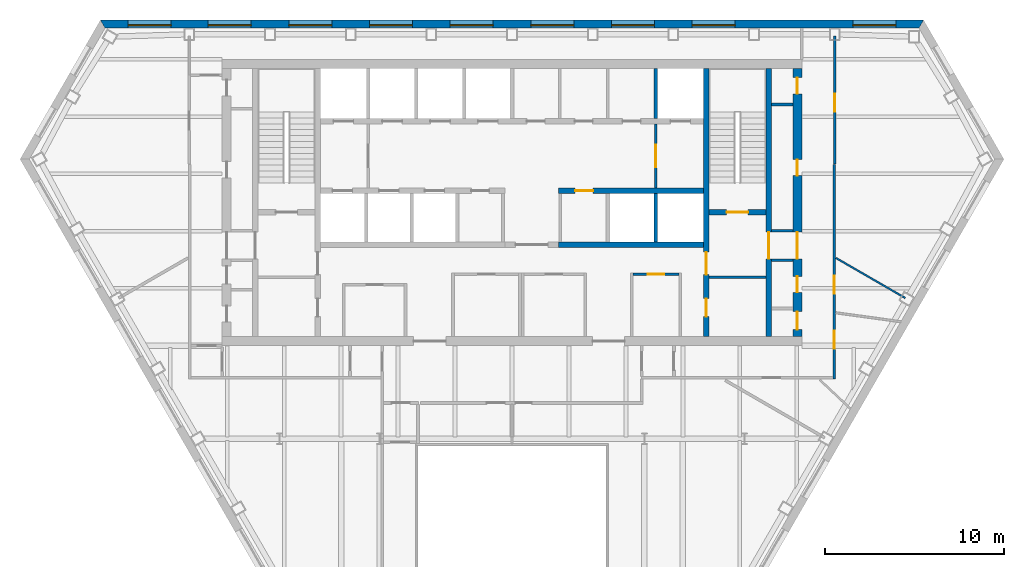
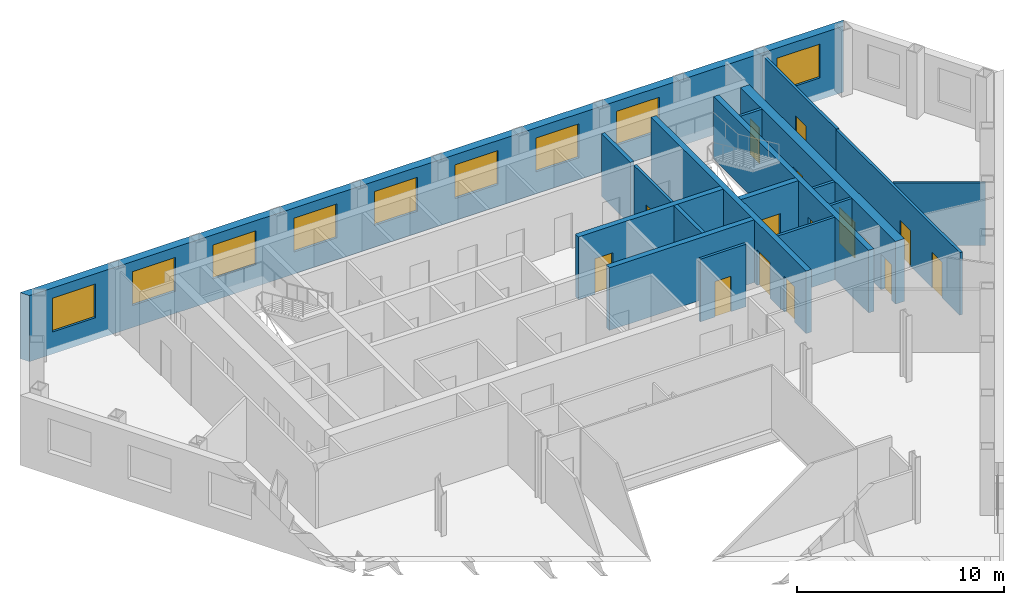
# One storey, part 7 of 11: 18 walls, 15 doors, 9 windows, 24 openings.
"""IFC4 building model written with IfcOpenShell, lengths in metres."""

from ifc_helpers import new_model, si_unit, direction, frame, frame_2d, origin, place, context, subcontext, project, spatial, polyline, rectangle, outline, extrude, material, layer, layer_set, type_object, element, fill, save


model = new_model("IFC4")

# Units and contexts
model_context = context("Model", 3, precision=1e-05, world=origin(), true_north=direction((0.0, 1.0)))
body_context = subcontext(model_context, "Body", "Model", "MODEL_VIEW")
ifc_project = project(units=[si_unit("LENGTHUNIT", "METRE"), si_unit("AREAUNIT", "SQUARE_METRE"), si_unit("VOLUMEUNIT", "CUBIC_METRE"), si_unit("PLANEANGLEUNIT", "RADIAN"), si_unit("MASSUNIT", "GRAM", prefix="KILO")], contexts=[model_context])

# Site, building, storey
site_placement = place(None, origin())
site = spatial("IfcSite", under=ifc_project, at=site_placement, CompositionType="ELEMENT")
building_placement = place(site_placement, origin())
building = spatial("IfcBuilding", under=site, at=building_placement, Name="Njiva Tower", CompositionType="ELEMENT")
storey_placement = place(building_placement, frame((0.0, 0.0, 147.6)))
storey = spatial("IfcBuildingStorey", under=building, at=storey_placement, Name="L31", CompositionType="ELEMENT", Elevation=147.6)

# Wall
ifc_material_1 = material(Name="Blockwork", Category="masonry")
ifc_layer_1 = layer(ifc_material_1, 0.15)
ifc_layer_set_1 = layer_set([ifc_layer_1], Name="Blockwork")
wall_type_1 = type_object("IfcWallType", Name="WT1 Compartment partition 150", PredefinedType="PARTITIONING", material=ifc_layer_set_1)
wall_1_placement = place(storey_placement, frame((11.0, 5.825, 0.0), z_axis=(0.0, 0.0, 1.0), x_axis=(1.0, 0.0, 0.0)))
element("IfcWall", 1, at=wall_1_placement, inside=storey, type_object=wall_type_1, Name="Room wall B", PredefinedType="PARTITIONING", context=body_context, shape_type="SweptSolid", body=[
    extrude(rectangle(XDim=3.2, YDim=0.15, at=frame_2d((1.6, 0.0))), origin(), (0.0, 0.0, 1.0), 3.7),
])

# Wall, opening, door
wall_2_placement = place(storey_placement, frame((6.775, 6.0, 0.0), z_axis=(0.0, 0.0, 1.0), x_axis=(1.0, 0.0, 0.0)))
wall_2 = element("IfcWall", 2, at=wall_2_placement, inside=storey, type_object=wall_type_1, Name="Information office wall north", PredefinedType="PARTITIONING", context=body_context, shape_type="SweptSolid", body=[
    extrude(rectangle(XDim=2.55, YDim=0.15, at=frame_2d((1.275, 0.0))), origin(), (0.0, 0.0, 1.0), 3.7),
])
opening_1_placement = place(wall_2_placement, frame((0.825, 0.0, 0.0)))
opening_1 = element("IfcOpeningElement", 3, at=opening_1_placement, cuts=wall_2, Name="Opening S10-D937", PredefinedType="OPENING", context=body_context, shape_type="SweptSolid", body=[
    extrude(rectangle(XDim=0.9, YDim=2.1, at=frame_2d((0.45, 1.05))), frame((0.0, 0.085, 0.0), z_axis=(0.0, -1.0, 0.0), x_axis=(1.0, 0.0, 0.0)), (0.0, 0.0, 1.0), 0.17),
])
ifc_material_2 = material(Name="Steel fire door, painted", Category="steel")
door_type_1 = type_object("IfcDoorType", Name="D6 Fire-rated door 900x2100", OperationType="SINGLE_SWING_LEFT", PredefinedType="DOOR", material=ifc_material_2)
door_1_placement = place(opening_1_placement, origin())
door_1 = element("IfcDoor", 4, at=door_1_placement, inside=storey, type_object=door_type_1, Name="Information office door", OperationType="SINGLE_SWING_RIGHT", OverallHeight=2.1, OverallWidth=0.9, PredefinedType="DOOR", context=body_context, shape_type="SweptSolid", body=[
    extrude(rectangle(XDim=0.9, YDim=2.1, at=frame_2d((0.45, 1.05))), frame((0.0, 0.025, 0.0), z_axis=(0.0, -1.0, 0.0), x_axis=(1.0, 0.0, 0.0)), (0.0, 0.0, 1.0), 0.05),
])
fill(opening_1, door_1)

# Wall, openings, doors
ifc_material_3 = material(Name="Concrete C40/50", Category="concrete")
ifc_layer_2 = layer(ifc_material_3, 0.3)
ifc_layer_set_2 = layer_set([ifc_layer_2], Name="Concrete C40/50")
wall_type_2 = type_object("IfcWallType", Name="WT10 Stair enclosure wall 300", PredefinedType="SHEAR", material=ifc_layer_set_2)
wall_3_placement = place(storey_placement, frame((10.85, 2.5, 0.0), z_axis=(0.0, 0.0, 1.0), x_axis=(0.0, 1.0, 0.0)))
wall_3 = element("IfcWall", 5, at=wall_3_placement, inside=storey, type_object=wall_type_2, Name="Stair wall east inner", PredefinedType="SHEAR", context=body_context, shape_type="SweptSolid", body=[
    extrude(rectangle(XDim=15.0, YDim=0.3, at=frame_2d((7.5, 0.0))), origin(), (0.0, 0.0, 1.0), 3.7),
])
opening_2_placement = place(wall_3_placement, frame((3.475, 0.0, 0.0)))
opening_2 = element("IfcOpeningElement", 6, at=opening_2_placement, cuts=wall_3, Name="Opening S10-D920", PredefinedType="OPENING", context=body_context, shape_type="SweptSolid", body=[
    extrude(rectangle(XDim=1.25, YDim=2.1, at=frame_2d((0.625, 1.05))), frame((0.0, 0.16, 0.0), z_axis=(0.0, -1.0, 0.0), x_axis=(1.0, 0.0, 0.0)), (0.0, 0.0, 1.0), 0.32),
])
opening_3_placement = place(wall_3_placement, frame((1.125, 0.0, 0.0)))
opening_3 = element("IfcOpeningElement", 7, at=opening_3_placement, cuts=wall_3, Name="Opening S10-D921", PredefinedType="OPENING", context=body_context, shape_type="SweptSolid", body=[
    extrude(rectangle(XDim=1.0, YDim=2.1, at=frame_2d((0.5, 1.05))), frame((0.0, 0.16, 0.0), z_axis=(0.0, -1.0, 0.0), x_axis=(1.0, 0.0, 0.0)), (0.0, 0.0, 1.0), 0.32),
])
ifc_material_4 = material(Name="Steel door, painted", Category="steel")
door_type_2 = type_object("IfcDoorType", Name="D5 Steel door 1000x2100", OperationType="SINGLE_SWING_LEFT", PredefinedType="DOOR", material=ifc_material_4)
door_2_placement = place(opening_3_placement, origin())
door_2 = element("IfcDoor", 8, at=door_2_placement, inside=storey, type_object=door_type_2, Name="Meeting room door", OperationType="SINGLE_SWING_LEFT", OverallHeight=2.1, OverallWidth=1.0, PredefinedType="DOOR", context=body_context, shape_type="SweptSolid", body=[
    extrude(rectangle(XDim=1.0, YDim=2.1, at=frame_2d((0.5, 1.05))), frame((0.0, 0.025, 0.0), z_axis=(0.0, -1.0, 0.0), x_axis=(1.0, 0.0, 0.0)), (0.0, 0.0, 1.0), 0.05),
])
fill(opening_3, door_2)
ifc_material_5 = material(Name="Glazed steel fire door", Category="steel")
door_type_3 = type_object("IfcDoorType", Name="D8 Vestibule corridor door 1250x2100 glazed", OperationType="SINGLE_SWING_LEFT", PredefinedType="DOOR", material=ifc_material_5)
door_3_placement = place(opening_2_placement, origin())
door_3 = element("IfcDoor", 9, at=door_3_placement, inside=storey, type_object=door_type_3, Name="Stair vestibule corridor door", OperationType="SINGLE_SWING_RIGHT", OverallHeight=2.1, OverallWidth=1.25, PredefinedType="DOOR", context=body_context, shape_type="SweptSolid", body=[
    extrude(rectangle(XDim=1.25, YDim=2.1, at=frame_2d((0.625, 1.05))), frame((0.0, 0.025, 0.0), z_axis=(0.0, -1.0, 0.0), x_axis=(1.0, 0.0, 0.0)), (0.0, 0.0, 1.0), 0.05),
])
fill(opening_2, door_3)

# Wall, opening, door
wall_4_placement = place(storey_placement, frame((14.35, 2.5, 0.0), z_axis=(0.0, 0.0, 1.0), x_axis=(0.0, 1.0, 0.0)))
wall_4 = element("IfcWall", 10, at=wall_4_placement, inside=storey, type_object=wall_type_2, Name="Stair wall east outer", PredefinedType="SHEAR", context=body_context, shape_type="SweptSolid", body=[
    extrude(rectangle(XDim=15.0, YDim=0.3, at=frame_2d((7.5, 0.0))), origin(), (0.0, 0.0, 1.0), 3.7),
])
opening_4_placement = place(wall_4_placement, frame((4.35, 0.0, 0.0)))
opening_4 = element("IfcOpeningElement", 11, at=opening_4_placement, cuts=wall_4, Name="Opening S10-D928", PredefinedType="OPENING", context=body_context, shape_type="SweptSolid", body=[
    extrude(rectangle(XDim=1.5, YDim=2.1, at=frame_2d((0.75, 1.05))), frame((0.0, 0.16, 0.0), z_axis=(0.0, -1.0, 0.0), x_axis=(1.0, 0.0, 0.0)), (0.0, 0.0, 1.0), 0.32),
])
door_type_4 = type_object("IfcDoorType", Name="D10 Exit door double 1500x2100 glazed", OperationType="DOUBLE_DOOR_SINGLE_SWING", PredefinedType="DOOR", material=ifc_material_5)
door_4_placement = place(opening_4_placement, origin())
door_4 = element("IfcDoor", 12, at=door_4_placement, inside=storey, type_object=door_type_4, Name="Stair B passage door", OperationType="DOUBLE_DOOR_SINGLE_SWING", OverallHeight=2.1, OverallWidth=1.5, PredefinedType="DOOR", context=body_context, shape_type="SweptSolid", body=[
    extrude(rectangle(XDim=1.5, YDim=2.1, at=frame_2d((0.75, 1.05))), frame((0.0, 0.025, 0.0), z_axis=(0.0, -1.0, 0.0), x_axis=(1.0, 0.0, 0.0)), (0.0, 0.0, 1.0), 0.05),
])
fill(opening_4, door_4)

wall_5_placement = place(storey_placement, frame((11.0, 9.45, 0.0), z_axis=(0.0, 0.0, 1.0), x_axis=(1.0, 0.0, 0.0)))
wall_5 = element("IfcWall", 13, at=wall_5_placement, inside=storey, type_object=wall_type_2, Name="Stair B south wall", PredefinedType="SHEAR", context=body_context, shape_type="SweptSolid", body=[
    extrude(rectangle(XDim=3.2, YDim=0.3, at=frame_2d((1.6, 0.0))), origin(), (0.0, 0.0, 1.0), 3.7),
])
opening_5_placement = place(wall_5_placement, frame((1.0, 0.0, 0.0)))
opening_5 = element("IfcOpeningElement", 14, at=opening_5_placement, cuts=wall_5, Name="Opening S10-D919", PredefinedType="OPENING", context=body_context, shape_type="SweptSolid", body=[
    extrude(rectangle(XDim=1.2, YDim=2.1, at=frame_2d((0.6, 1.05))), frame((0.0, 0.16, 0.0), z_axis=(0.0, -1.0, 0.0), x_axis=(1.0, 0.0, 0.0)), (0.0, 0.0, 1.0), 0.32),
])
door_type_5 = type_object("IfcDoorType", Name="D7 Stair vestibule door 1200x2100 glazed", OperationType="SINGLE_SWING_LEFT", PredefinedType="DOOR", material=ifc_material_5)
door_5_placement = place(opening_5_placement, origin())
door_5 = element("IfcDoor", 15, at=door_5_placement, inside=storey, type_object=door_type_5, Name="Stair B door", OperationType="SINGLE_SWING_LEFT", OverallHeight=2.1, OverallWidth=1.2, PredefinedType="DOOR", context=body_context, shape_type="SweptSolid", body=[
    extrude(rectangle(XDim=1.2, YDim=2.1, at=frame_2d((0.6, 1.05))), frame((0.0, 0.025, 0.0), z_axis=(0.0, -1.0, 0.0), x_axis=(1.0, 0.0, 0.0)), (0.0, 0.0, 1.0), 0.05),
])
fill(opening_5, door_5)

# Wall, openings, doors
ifc_material_6 = material(Name="Concrete C60/75", Category="concrete")
ifc_layer_3 = layer(ifc_material_6, 0.5)
ifc_layer_set_3 = layer_set([ifc_layer_3], Name="Concrete C60/75")
wall_type_3 = type_object("IfcWallType", Name="WT13 Core wall 500", PredefinedType="SHEAR", material=ifc_layer_set_3)
wall_6_placement = place(storey_placement, frame((15.95, 2.5, 0.0), z_axis=(0.0, 0.0, 1.0), x_axis=(0.0, 1.0, 0.0)))
wall_6 = element("IfcWall", 16, at=wall_6_placement, inside=storey, type_object=wall_type_3, Name="Core wall east", PredefinedType="SHEAR", context=body_context, shape_type="SweptSolid", body=[
    extrude(rectangle(XDim=15.0, YDim=0.5, at=frame_2d((7.5, 0.0))), origin(), (0.0, 0.0, 1.0), 3.7),
])
opening_6_placement = place(wall_6_placement, frame((4.35, 0.0, 0.0)))
opening_6 = element("IfcOpeningElement", 17, at=opening_6_placement, cuts=wall_6, Name="Opening S10-D929", PredefinedType="OPENING", context=body_context, shape_type="SweptSolid", body=[
    extrude(rectangle(XDim=1.5, YDim=2.1, at=frame_2d((0.75, 1.05))), frame((0.0, 0.26, 0.0), z_axis=(0.0, -1.0, 0.0), x_axis=(1.0, 0.0, 0.0)), (0.0, 0.0, 1.0), 0.52),
])
opening_7_placement = place(wall_6_placement, frame((0.4, 0.0, 0.0)))
opening_7 = element("IfcOpeningElement", 18, at=opening_7_placement, cuts=wall_6, Name="Opening S10-D930", PredefinedType="OPENING", context=body_context, shape_type="SweptSolid", body=[
    extrude(rectangle(XDim=1.0, YDim=2.1, at=frame_2d((0.5, 1.05))), frame((0.0, 0.26, 0.0), z_axis=(0.0, -1.0, 0.0), x_axis=(1.0, 0.0, 0.0)), (0.0, 0.0, 1.0), 0.52),
])
opening_8_placement = place(wall_6_placement, frame((2.475, 0.0, 0.0)))
opening_8 = element("IfcOpeningElement", 19, at=opening_8_placement, cuts=wall_6, Name="Opening S10-D931", PredefinedType="OPENING", context=body_context, shape_type="SweptSolid", body=[
    extrude(rectangle(XDim=0.9, YDim=2.1, at=frame_2d((0.45, 1.05))), frame((0.0, 0.26, 0.0), z_axis=(0.0, -1.0, 0.0), x_axis=(1.0, 0.0, 0.0)), (0.0, 0.0, 1.0), 0.52),
])
opening_9_placement = place(wall_6_placement, frame((9.0012, 0.0, 0.0)))
opening_9 = element("IfcOpeningElement", 20, at=opening_9_placement, cuts=wall_6, Name="Opening S10-D932", PredefinedType="OPENING", context=body_context, shape_type="SweptSolid", body=[
    extrude(rectangle(XDim=0.9, YDim=2.1, at=frame_2d((0.45, 1.05))), frame((0.0, 0.26, 0.0), z_axis=(0.0, -1.0, 0.0), x_axis=(1.0, 0.0, 0.0)), (0.0, 0.0, 1.0), 0.52),
])
opening_10_placement = place(wall_6_placement, frame((13.5762, 0.0, 0.0)))
opening_10 = element("IfcOpeningElement", 21, at=opening_10_placement, cuts=wall_6, Name="Opening S10-D933", PredefinedType="OPENING", context=body_context, shape_type="SweptSolid", body=[
    extrude(rectangle(XDim=0.9, YDim=2.1, at=frame_2d((0.45, 1.05))), frame((0.0, 0.26, 0.0), z_axis=(0.0, -1.0, 0.0), x_axis=(1.0, 0.0, 0.0)), (0.0, 0.0, 1.0), 0.52),
])
door_6_placement = place(opening_6_placement, origin())
door_6 = element("IfcDoor", 22, at=door_6_placement, inside=storey, type_object=door_type_4, Name="Stair B corridor door", OperationType="DOUBLE_DOOR_SINGLE_SWING", OverallHeight=2.1, OverallWidth=1.5, PredefinedType="DOOR", context=body_context, shape_type="SweptSolid", body=[
    extrude(rectangle(XDim=1.5, YDim=2.1, at=frame_2d((0.75, 1.05))), frame((0.0, 0.025, 0.0), z_axis=(0.0, -1.0, 0.0), x_axis=(1.0, 0.0, 0.0)), (0.0, 0.0, 1.0), 0.05),
])
fill(opening_6, door_6)
door_type_6 = type_object("IfcDoorType", Name="D4 Riser door 900x2100", OperationType="SINGLE_SWING_LEFT", PredefinedType="DOOR", material=ifc_material_4)
door_7_placement = place(opening_10_placement, origin())
door_7 = element("IfcDoor", 23, at=door_7_placement, inside=storey, type_object=door_type_6, Name="Cable riser door", OperationType="SINGLE_SWING_RIGHT", OverallHeight=2.1, OverallWidth=0.9, PredefinedType="DOOR", context=body_context, shape_type="SweptSolid", body=[
    extrude(rectangle(XDim=0.9, YDim=2.1, at=frame_2d((0.45, 1.05))), frame((0.0, 0.025, 0.0), z_axis=(0.0, -1.0, 0.0), x_axis=(1.0, 0.0, 0.0)), (0.0, 0.0, 1.0), 0.05),
])
fill(opening_10, door_7)
door_8_placement = place(opening_7_placement, origin())
door_8 = element("IfcDoor", 24, at=door_8_placement, inside=storey, type_object=door_type_2, Name="Telecoms room door", OperationType="SINGLE_SWING_LEFT", OverallHeight=2.1, OverallWidth=1.0, PredefinedType="DOOR", context=body_context, shape_type="SweptSolid", body=[
    extrude(rectangle(XDim=1.0, YDim=2.1, at=frame_2d((0.5, 1.05))), frame((0.0, 0.025, 0.0), z_axis=(0.0, -1.0, 0.0), x_axis=(1.0, 0.0, 0.0)), (0.0, 0.0, 1.0), 0.05),
])
fill(opening_7, door_8)
door_9_placement = place(opening_8_placement, origin())
door_9 = element("IfcDoor", 25, at=door_9_placement, inside=storey, type_object=door_type_1, Name="Cable store door", OperationType="SINGLE_SWING_LEFT", OverallHeight=2.1, OverallWidth=0.9, PredefinedType="DOOR", context=body_context, shape_type="SweptSolid", body=[
    extrude(rectangle(XDim=0.9, YDim=2.1, at=frame_2d((0.45, 1.05))), frame((0.0, 0.025, 0.0), z_axis=(0.0, -1.0, 0.0), x_axis=(1.0, 0.0, 0.0)), (0.0, 0.0, 1.0), 0.05),
])
fill(opening_8, door_9)
door_10_placement = place(opening_9_placement, origin())
door_10 = element("IfcDoor", 26, at=door_10_placement, inside=storey, type_object=door_type_1, Name="Cable store door", OperationType="SINGLE_SWING_RIGHT", OverallHeight=2.1, OverallWidth=0.9, PredefinedType="DOOR", context=body_context, shape_type="SweptSolid", body=[
    extrude(rectangle(XDim=0.9, YDim=2.1, at=frame_2d((0.45, 1.05))), frame((0.0, 0.025, 0.0), z_axis=(0.0, -1.0, 0.0), x_axis=(1.0, 0.0, 0.0)), (0.0, 0.0, 1.0), 0.05),
])
fill(opening_9, door_10)

# Wall, opening, door
ifc_layer_4 = layer(ifc_material_1, 0.15)
ifc_layer_set_4 = layer_set([ifc_layer_4], Name="Blockwork")
wall_type_4 = type_object("IfcWallType", Name="WT2 Lobby partition 150", PredefinedType="PARTITIONING", material=ifc_layer_set_4)
wall_7_placement = place(storey_placement, frame((8.025, 10.8, 0.0), z_axis=(0.0, 0.0, 1.0), x_axis=(0.0, 1.0, 0.0)))
wall_7 = element("IfcWall", 27, at=wall_7_placement, inside=storey, type_object=wall_type_4, Name="Firefighting lobby wall B", PredefinedType="PARTITIONING", context=body_context, shape_type="SweptSolid", body=[
    extrude(rectangle(XDim=3.6, YDim=0.15, at=frame_2d((1.8, 0.0))), origin(), (0.0, 0.0, 1.0), 3.7),
])
opening_11_placement = place(wall_7_placement, frame((1.175, 0.0, 0.0)))
opening_11 = element("IfcOpeningElement", 28, at=opening_11_placement, cuts=wall_7, Name="Opening S10-D918", PredefinedType="OPENING", context=body_context, shape_type="SweptSolid", body=[
    extrude(rectangle(XDim=1.25, YDim=2.1, at=frame_2d((0.625, 1.05))), frame((0.0, 0.085, 0.0), z_axis=(0.0, -1.0, 0.0), x_axis=(1.0, 0.0, 0.0)), (0.0, 0.0, 1.0), 0.17),
])
door_11_placement = place(opening_11_placement, origin())
door_11 = element("IfcDoor", 29, at=door_11_placement, inside=storey, type_object=door_type_3, Name="Stair vestibule corridor door", OperationType="SINGLE_SWING_LEFT", OverallHeight=2.1, OverallWidth=1.25, PredefinedType="DOOR", context=body_context, shape_type="SweptSolid", body=[
    extrude(rectangle(XDim=1.25, YDim=2.1, at=frame_2d((0.625, 1.05))), frame((0.0, 0.025, 0.0), z_axis=(0.0, -1.0, 0.0), x_axis=(1.0, 0.0, 0.0)), (0.0, 0.0, 1.0), 0.05),
])
fill(opening_11, door_11)

# Wall
ifc_material_7 = material(Name="Gypsum board on steel studs", Category="gypsum")
ifc_layer_5 = layer(ifc_material_7, 0.1)
ifc_layer_set_5 = layer_set([ifc_layer_5], Name="Gypsum board on steel studs")
wall_type_5 = type_object("IfcWallType", Name="WT20 Gypsum partition 100", PredefinedType="PARTITIONING", material=ifc_layer_set_5)
wall_8_placement = place(storey_placement, frame((18.101, 6.902, 0.0), z_axis=(0.0, 0.0, 1.0), x_axis=(0.865951106384, -0.500128664797, 0.0)))
element("IfcWall", 30, at=wall_8_placement, inside=storey, type_object=wall_type_5, Name="Partition S10-P031", PredefinedType="PARTITIONING", context=body_context, shape_type="SweptSolid", body=[
    extrude(rectangle(XDim=4.4748, YDim=0.1, at=frame_2d((2.2374, 0.0))), origin(), (0.0, 0.0, 1.0), 3.7),
])

# Wall, openings, doors
ifc_layer_6 = layer(ifc_material_7, 0.15)
ifc_layer_set_6 = layer_set([ifc_layer_6], Name="Gypsum board on steel studs")
wall_type_6 = type_object("IfcWallType", Name="WT21 Compartment wall 150", PredefinedType="PARTITIONING", material=ifc_layer_set_6)
wall_9_placement = place(storey_placement, frame((18.0, 0.125, 0.0), z_axis=(0.0, 0.0, 1.0), x_axis=(0.000166638891, 0.999999986116, 0.0)))
wall_9 = element("IfcWall", 31, at=wall_9_placement, inside=storey, type_object=wall_type_6, Name="Partition S10-P028", PredefinedType="PARTITIONING", context=body_context, shape_type="SweptSolid", body=[
    extrude(rectangle(XDim=12.002, YDim=0.15, at=frame_2d((6.001, 0.0))), origin(), (0.0, 0.0, 1.0), 3.7),
])
opening_12_placement = place(wall_9_placement, frame((1.707, 0.0, 0.0)))
opening_12 = element("IfcOpeningElement", 32, at=opening_12_placement, cuts=wall_9, Name="Opening S10-D015", PredefinedType="OPENING", context=body_context, shape_type="SweptSolid", body=[
    extrude(rectangle(XDim=1.0, YDim=2.1, at=frame_2d((0.5, 1.05))), frame((0.0, 0.085, 0.0), z_axis=(0.0, -1.0, 0.0), x_axis=(1.0, 0.0, 0.0)), (0.0, 0.0, 1.0), 0.17),
])
opening_13_placement = place(wall_9_placement, frame((4.78, 0.0, 0.0)))
opening_13 = element("IfcOpeningElement", 33, at=opening_13_placement, cuts=wall_9, Name="Opening S10-D016", PredefinedType="OPENING", context=body_context, shape_type="SweptSolid", body=[
    extrude(rectangle(XDim=1.0, YDim=2.1, at=frame_2d((0.5, 1.05))), frame((0.0, 0.085, 0.0), z_axis=(0.0, -1.0, 0.0), x_axis=(1.0, 0.0, 0.0)), (0.0, 0.0, 1.0), 0.17),
])
ifc_material_8 = material(Name="Steel fire door set", Category="steel")
door_type_7 = type_object("IfcDoorType", Name="D37 Fire door 1000x2100", OperationType="SINGLE_SWING_LEFT", PredefinedType="DOOR", material=ifc_material_8)
door_12_placement = place(opening_12_placement, origin())
door_12 = element("IfcDoor", 34, at=door_12_placement, inside=storey, type_object=door_type_7, Name="Door S10-D015", OperationType="SINGLE_SWING_LEFT", OverallHeight=2.1, OverallWidth=1.0, PredefinedType="DOOR", context=body_context, shape_type="SweptSolid", body=[
    extrude(rectangle(XDim=1.0, YDim=2.1, at=frame_2d((0.5, 1.05))), frame((0.0, 0.025, 0.0), z_axis=(0.0, -1.0, 0.0), x_axis=(1.0, 0.0, 0.0)), (0.0, 0.0, 1.0), 0.05),
])
fill(opening_12, door_12)
door_13_placement = place(opening_13_placement, origin())
door_13 = element("IfcDoor", 35, at=door_13_placement, inside=storey, type_object=door_type_7, Name="Door S10-D016", OperationType="SINGLE_SWING_LEFT", OverallHeight=2.1, OverallWidth=1.0, PredefinedType="DOOR", context=body_context, shape_type="SweptSolid", body=[
    extrude(rectangle(XDim=1.0, YDim=2.1, at=frame_2d((0.5, 1.05))), frame((0.0, 0.025, 0.0), z_axis=(0.0, -1.0, 0.0), x_axis=(1.0, 0.0, 0.0)), (0.0, 0.0, 1.0), 0.05),
])
fill(opening_13, door_13)

# Wall, opening, door
wall_10_placement = place(storey_placement, frame((18.034, 12.146, 0.0), z_axis=(0.0, 0.0, 1.0), x_axis=(0.0, 1.0, 0.0)))
wall_10 = element("IfcWall", 36, at=wall_10_placement, inside=storey, type_object=wall_type_6, Name="Partition S10-P029", PredefinedType="PARTITIONING", context=body_context, shape_type="SweptSolid", body=[
    extrude(rectangle(XDim=7.154, YDim=0.15, at=frame_2d((3.577, 0.0))), origin(), (0.0, 0.0, 1.0), 3.7),
])
opening_14_placement = place(wall_10_placement, frame((2.926, 0.0, 0.0)))
opening_14 = element("IfcOpeningElement", 37, at=opening_14_placement, cuts=wall_10, Name="Opening S10-D017", PredefinedType="OPENING", context=body_context, shape_type="SweptSolid", body=[
    extrude(rectangle(XDim=1.0, YDim=2.1, at=frame_2d((0.5, 1.05))), frame((0.0, 0.085, 0.0), z_axis=(0.0, -1.0, 0.0), x_axis=(1.0, 0.0, 0.0)), (0.0, 0.0, 1.0), 0.17),
])
door_14_placement = place(opening_14_placement, origin())
door_14 = element("IfcDoor", 38, at=door_14_placement, inside=storey, type_object=door_type_7, Name="Door S10-D017", OperationType="SINGLE_SWING_LEFT", OverallHeight=2.1, OverallWidth=1.0, PredefinedType="DOOR", context=body_context, shape_type="SweptSolid", body=[
    extrude(rectangle(XDim=1.0, YDim=2.1, at=frame_2d((0.5, 1.05))), frame((0.0, 0.025, 0.0), z_axis=(0.0, -1.0, 0.0), x_axis=(1.0, 0.0, 0.0)), (0.0, 0.0, 1.0), 0.05),
])
fill(opening_14, door_14)

# Walls
ifc_layer_7 = layer(ifc_material_1, 0.15)
ifc_layer_set_7 = layer_set([ifc_layer_7], Name="Blockwork")
wall_type_7 = type_object("IfcWallType", Name="WT3 Riser partition 150", PredefinedType="PARTITIONING", material=ifc_layer_set_7)
wall_11_placement = place(storey_placement, frame((14.5, 15.4773, 0.0), z_axis=(0.0, 0.0, 1.0), x_axis=(1.0, 0.0, 0.0)))
element("IfcWall", 39, at=wall_11_placement, inside=storey, type_object=wall_type_7, Name="Partition strip E10", PredefinedType="PARTITIONING", context=body_context, shape_type="SweptSolid", body=[
    extrude(rectangle(XDim=1.2, YDim=0.15, at=frame_2d((0.6, 0.0))), origin(), (0.0, 0.0, 1.0), 3.7),
])
ifc_layer_8 = layer(ifc_material_1, 0.15)
ifc_layer_set_8 = layer_set([ifc_layer_8], Name="Blockwork")
wall_type_8 = type_object("IfcWallType", Name="WT4 Stair partition 150", PredefinedType="PARTITIONING", material=ifc_layer_set_8)
for number, where, z_axis, x_axis, name in (
    (40, (14.5, 6.775, 0.0), (0.0, 0.0, 1.0), (1.0, 0.0, 0.0), "Stair B exit passage wall south"),
    (41, (14.5, 8.425, 0.0), (0.0, 0.0, 1.0), (1.0, 0.0, 0.0), "Stair B exit passage wall north"),
):
    element("IfcWall", number, at=place(storey_placement, frame(where, z_axis=z_axis, x_axis=x_axis)), inside=storey, type_object=wall_type_8, Name=name, PredefinedType="PARTITIONING", context=body_context, shape_type="SweptSolid", body=[
        extrude(rectangle(XDim=1.2, YDim=0.15, at=frame_2d((0.6, 0.0))), origin(), (0.0, 0.0, 1.0), 3.7),
    ])
ifc_layer_9 = layer(ifc_material_3, 0.2)
ifc_layer_set_9 = layer_set([ifc_layer_9], Name="Concrete C40/50")
wall_type_9 = type_object("IfcWallType", Name="WT6 Lift shaft wall 200", PredefinedType="SHEAR", material=ifc_layer_set_9)
wall_12_placement = place(storey_placement, frame((8.025, 14.7, 0.0), z_axis=(0.0, 0.0, 1.0), x_axis=(0.0, 1.0, 0.0)))
element("IfcWall", 42, at=wall_12_placement, inside=storey, type_object=wall_type_9, Name="Shaft wall CN7", PredefinedType="SHEAR", context=body_context, shape_type="SweptSolid", body=[
    extrude(rectangle(XDim=2.8, YDim=0.2, at=frame_2d((1.4, 0.0))), origin(), (0.0, 0.0, 1.0), 3.7),
])
wall_13_placement = place(storey_placement, frame((8.0333, 7.8, 0.0), z_axis=(0.0, 0.0, 1.0), x_axis=(0.0, 1.0, 0.0)))
element("IfcWall", 43, at=wall_13_placement, inside=storey, type_object=wall_type_9, Name="Shaft wall CS7", PredefinedType="SHEAR", context=body_context, shape_type="SweptSolid", body=[
    extrude(rectangle(XDim=2.7, YDim=0.2, at=frame_2d((1.35, 0.0))), origin(), (0.0, 0.0, 1.0), 3.7),
])

# Wall, opening, door
ifc_layer_10 = layer(ifc_material_3, 0.3)
ifc_layer_set_10 = layer_set([ifc_layer_10], Name="Concrete C40/50")
wall_type_10 = type_object("IfcWallType", Name="WT7 Lift shaft wall 300", PredefinedType="SHEAR", material=ifc_layer_set_10)
wall_14_placement = place(storey_placement, frame((2.6, 10.65, 0.0), z_axis=(0.0, 0.0, 1.0), x_axis=(1.0, 0.0, 0.0)))
wall_14 = element("IfcWall", 44, at=wall_14_placement, inside=storey, type_object=wall_type_10, Name="Shaft wall south row lobby side E", PredefinedType="SHEAR", context=body_context, shape_type="SweptSolid", body=[
    extrude(rectangle(XDim=8.1, YDim=0.3, at=frame_2d((4.05, 0.0))), origin(), (0.0, 0.0, 1.0), 3.7),
])
opening_15_placement = place(wall_14_placement, frame((0.9334, 0.0, 0.0)))
opening_15 = element("IfcOpeningElement", 45, at=opening_15_placement, cuts=wall_14, Name="Opening S10-D913", PredefinedType="OPENING", context=body_context, shape_type="SweptSolid", body=[
    extrude(rectangle(XDim=1.0, YDim=2.1, at=frame_2d((0.5, 1.05))), frame((0.0, 0.16, 0.0), z_axis=(0.0, -1.0, 0.0), x_axis=(1.0, 0.0, 0.0)), (0.0, 0.0, 1.0), 0.32),
])
door_15_placement = place(opening_15_placement, origin())
door_15 = element("IfcDoor", 46, at=door_15_placement, inside=storey, type_object=door_type_2, Name="Reading room door", OperationType="SINGLE_SWING_LEFT", OverallHeight=2.1, OverallWidth=1.0, PredefinedType="DOOR", context=body_context, shape_type="SweptSolid", body=[
    extrude(rectangle(XDim=1.0, YDim=2.1, at=frame_2d((0.5, 1.05))), frame((0.0, 0.025, 0.0), z_axis=(0.0, -1.0, 0.0), x_axis=(1.0, 0.0, 0.0)), (0.0, 0.0, 1.0), 0.05),
])
fill(opening_15, door_15)

# Wall
wall_15_placement = place(storey_placement, frame((2.6, 7.65, 0.0), z_axis=(0.0, 0.0, 1.0), x_axis=(1.0, 0.0, 0.0)))
element("IfcWall", 47, at=wall_15_placement, inside=storey, type_object=wall_type_10, Name="Shaft wall south row back E", PredefinedType="SHEAR", context=body_context, shape_type="SweptSolid", body=[
    extrude(rectangle(XDim=8.1, YDim=0.3, at=frame_2d((4.05, 0.0))), origin(), (0.0, 0.0, 1.0), 3.7),
])

# Wall, openings, windows
ifc_material_9 = material(Name="Brick masonry", Category="masonry")
ifc_layer_11 = layer(ifc_material_9, 0.45)
ifc_layer_set_11 = layer_set([ifc_layer_11], Name="Brick masonry")
wall_type_11 = type_object("IfcWallType", Name="WT90 Brick pier and spandrel wall 450", PredefinedType="SOLIDWALL", material=ifc_layer_set_11)
wall_16_placement = place(storey_placement, frame((22.8751, 19.975, -0.4), z_axis=(0.0, 0.0, 1.0), x_axis=(-1.0, 0.0, 0.0)))
wall_16 = element("IfcWall", 48, at=wall_16_placement, inside=storey, type_object=wall_type_11, Name="Facade wall N", PredefinedType="SOLIDWALL", context=body_context, shape_type="SweptSolid", body=[
    extrude(outline(polyline([(-0.1299, -0.225), (45.8801, -0.225), (45.6203, 0.225), (0.1299, 0.225), (-0.1299, -0.225)])), origin(), (0.0, 0.0, 1.0), 3.9),
])
opening_16_placement = place(wall_16_placement, frame((1.4247, 0.0, 1.3)))
opening_16 = element("IfcOpeningElement", 49, at=opening_16_placement, cuts=wall_16, Name="Opening S10-W01", PredefinedType="OPENING", context=body_context, shape_type="SweptSolid", body=[
    extrude(rectangle(XDim=2.4, YDim=2.0, at=frame_2d((1.2, 1.0))), frame((0.0, 0.235, 0.0), z_axis=(0.0, -1.0, 0.0), x_axis=(1.0, 0.0, 0.0)), (0.0, 0.0, 1.0), 0.47),
])
opening_17_placement = place(wall_16_placement, frame((10.4035, 0.0, 1.3)))
opening_17 = element("IfcOpeningElement", 50, at=opening_17_placement, cuts=wall_16, Name="Opening S10-W02", PredefinedType="OPENING", context=body_context, shape_type="SweptSolid", body=[
    extrude(rectangle(XDim=2.4, YDim=2.0, at=frame_2d((1.2, 1.0))), frame((0.0, 0.235, 0.0), z_axis=(0.0, -1.0, 0.0), x_axis=(1.0, 0.0, 0.0)), (0.0, 0.0, 1.0), 0.47),
])
opening_18_placement = place(wall_16_placement, frame((14.9122, 0.0, 1.3)))
opening_18 = element("IfcOpeningElement", 51, at=opening_18_placement, cuts=wall_16, Name="Opening S10-W03", PredefinedType="OPENING", context=body_context, shape_type="SweptSolid", body=[
    extrude(rectangle(XDim=2.4, YDim=2.0, at=frame_2d((1.2, 1.0))), frame((0.0, 0.235, 0.0), z_axis=(0.0, -1.0, 0.0), x_axis=(1.0, 0.0, 0.0)), (0.0, 0.0, 1.0), 0.47),
])
opening_19_placement = place(wall_16_placement, frame((19.4208, 0.0, 1.3)))
opening_19 = element("IfcOpeningElement", 52, at=opening_19_placement, cuts=wall_16, Name="Opening S10-W04", PredefinedType="OPENING", context=body_context, shape_type="SweptSolid", body=[
    extrude(rectangle(XDim=2.4, YDim=2.0, at=frame_2d((1.2, 1.0))), frame((0.0, 0.235, 0.0), z_axis=(0.0, -1.0, 0.0), x_axis=(1.0, 0.0, 0.0)), (0.0, 0.0, 1.0), 0.47),
])
opening_20_placement = place(wall_16_placement, frame((23.9294, 0.0, 1.3)))
opening_20 = element("IfcOpeningElement", 53, at=opening_20_placement, cuts=wall_16, Name="Opening S10-W05", PredefinedType="OPENING", context=body_context, shape_type="SweptSolid", body=[
    extrude(rectangle(XDim=2.4, YDim=2.0, at=frame_2d((1.2, 1.0))), frame((0.0, 0.235, 0.0), z_axis=(0.0, -1.0, 0.0), x_axis=(1.0, 0.0, 0.0)), (0.0, 0.0, 1.0), 0.47),
])
opening_21_placement = place(wall_16_placement, frame((28.438, 0.0, 1.3)))
opening_21 = element("IfcOpeningElement", 54, at=opening_21_placement, cuts=wall_16, Name="Opening S10-W06", PredefinedType="OPENING", context=body_context, shape_type="SweptSolid", body=[
    extrude(rectangle(XDim=2.4, YDim=2.0, at=frame_2d((1.2, 1.0))), frame((0.0, 0.235, 0.0), z_axis=(0.0, -1.0, 0.0), x_axis=(1.0, 0.0, 0.0)), (0.0, 0.0, 1.0), 0.47),
])
opening_22_placement = place(wall_16_placement, frame((32.9466, 0.0, 1.3)))
opening_22 = element("IfcOpeningElement", 55, at=opening_22_placement, cuts=wall_16, Name="Opening S10-W07", PredefinedType="OPENING", context=body_context, shape_type="SweptSolid", body=[
    extrude(rectangle(XDim=2.4, YDim=2.0, at=frame_2d((1.2, 1.0))), frame((0.0, 0.235, 0.0), z_axis=(0.0, -1.0, 0.0), x_axis=(1.0, 0.0, 0.0)), (0.0, 0.0, 1.0), 0.47),
])
opening_23_placement = place(wall_16_placement, frame((37.4553, 0.0, 1.3)))
opening_23 = element("IfcOpeningElement", 56, at=opening_23_placement, cuts=wall_16, Name="Opening S10-W08", PredefinedType="OPENING", context=body_context, shape_type="SweptSolid", body=[
    extrude(rectangle(XDim=2.4, YDim=2.0, at=frame_2d((1.2, 1.0))), frame((0.0, 0.235, 0.0), z_axis=(0.0, -1.0, 0.0), x_axis=(1.0, 0.0, 0.0)), (0.0, 0.0, 1.0), 0.47),
])
opening_24_placement = place(wall_16_placement, frame((41.9255, 0.0, 1.3)))
opening_24 = element("IfcOpeningElement", 57, at=opening_24_placement, cuts=wall_16, Name="Opening S10-W09", PredefinedType="OPENING", context=body_context, shape_type="SweptSolid", body=[
    extrude(rectangle(XDim=2.4, YDim=2.0, at=frame_2d((1.2, 1.0))), frame((0.0, 0.235, 0.0), z_axis=(0.0, -1.0, 0.0), x_axis=(1.0, 0.0, 0.0)), (0.0, 0.0, 1.0), 0.47),
])
ifc_material_10 = material(Name="Clear glazing in aluminium frame", Category="aluminium")
window_type = type_object("IfcWindowType", Name="W90 Deep-set window 2400x2000", PartitioningType="SINGLE_PANEL", PredefinedType="WINDOW", material=ifc_material_10)
window_1_placement = place(opening_16_placement, origin())
window_1 = element("IfcWindow", 58, at=window_1_placement, inside=storey, type_object=window_type, Name="Window", OverallHeight=2.0, OverallWidth=2.4, PartitioningType="SINGLE_PANEL", PredefinedType="WINDOW", context=body_context, shape_type="SweptSolid", body=[
    extrude(rectangle(XDim=2.4, YDim=2.0, at=frame_2d((1.2, 1.0))), frame((0.0, 0.105, 0.0), z_axis=(0.0, -1.0, 0.0), x_axis=(1.0, 0.0, 0.0)), (0.0, 0.0, 1.0), 0.06),
])
fill(opening_16, window_1)
window_2_placement = place(opening_17_placement, origin())
window_2 = element("IfcWindow", 59, at=window_2_placement, inside=storey, type_object=window_type, Name="Window", OverallHeight=2.0, OverallWidth=2.4, PartitioningType="SINGLE_PANEL", PredefinedType="WINDOW", context=body_context, shape_type="SweptSolid", body=[
    extrude(rectangle(XDim=2.4, YDim=2.0, at=frame_2d((1.2, 1.0))), frame((0.0, 0.105, 0.0), z_axis=(0.0, -1.0, 0.0), x_axis=(1.0, 0.0, 0.0)), (0.0, 0.0, 1.0), 0.06),
])
fill(opening_17, window_2)
window_3_placement = place(opening_18_placement, origin())
window_3 = element("IfcWindow", 60, at=window_3_placement, inside=storey, type_object=window_type, Name="Window", OverallHeight=2.0, OverallWidth=2.4, PartitioningType="SINGLE_PANEL", PredefinedType="WINDOW", context=body_context, shape_type="SweptSolid", body=[
    extrude(rectangle(XDim=2.4, YDim=2.0, at=frame_2d((1.2, 1.0))), frame((0.0, 0.105, 0.0), z_axis=(0.0, -1.0, 0.0), x_axis=(1.0, 0.0, 0.0)), (0.0, 0.0, 1.0), 0.06),
])
fill(opening_18, window_3)
window_4_placement = place(opening_19_placement, origin())
window_4 = element("IfcWindow", 61, at=window_4_placement, inside=storey, type_object=window_type, Name="Window", OverallHeight=2.0, OverallWidth=2.4, PartitioningType="SINGLE_PANEL", PredefinedType="WINDOW", context=body_context, shape_type="SweptSolid", body=[
    extrude(rectangle(XDim=2.4, YDim=2.0, at=frame_2d((1.2, 1.0))), frame((0.0, 0.105, 0.0), z_axis=(0.0, -1.0, 0.0), x_axis=(1.0, 0.0, 0.0)), (0.0, 0.0, 1.0), 0.06),
])
fill(opening_19, window_4)
window_5_placement = place(opening_20_placement, origin())
window_5 = element("IfcWindow", 62, at=window_5_placement, inside=storey, type_object=window_type, Name="Window", OverallHeight=2.0, OverallWidth=2.4, PartitioningType="SINGLE_PANEL", PredefinedType="WINDOW", context=body_context, shape_type="SweptSolid", body=[
    extrude(rectangle(XDim=2.4, YDim=2.0, at=frame_2d((1.2, 1.0))), frame((0.0, 0.105, 0.0), z_axis=(0.0, -1.0, 0.0), x_axis=(1.0, 0.0, 0.0)), (0.0, 0.0, 1.0), 0.06),
])
fill(opening_20, window_5)
window_6_placement = place(opening_21_placement, origin())
window_6 = element("IfcWindow", 63, at=window_6_placement, inside=storey, type_object=window_type, Name="Window", OverallHeight=2.0, OverallWidth=2.4, PartitioningType="SINGLE_PANEL", PredefinedType="WINDOW", context=body_context, shape_type="SweptSolid", body=[
    extrude(rectangle(XDim=2.4, YDim=2.0, at=frame_2d((1.2, 1.0))), frame((0.0, 0.105, 0.0), z_axis=(0.0, -1.0, 0.0), x_axis=(1.0, 0.0, 0.0)), (0.0, 0.0, 1.0), 0.06),
])
fill(opening_21, window_6)
window_7_placement = place(opening_22_placement, origin())
window_7 = element("IfcWindow", 64, at=window_7_placement, inside=storey, type_object=window_type, Name="Window", OverallHeight=2.0, OverallWidth=2.4, PartitioningType="SINGLE_PANEL", PredefinedType="WINDOW", context=body_context, shape_type="SweptSolid", body=[
    extrude(rectangle(XDim=2.4, YDim=2.0, at=frame_2d((1.2, 1.0))), frame((0.0, 0.105, 0.0), z_axis=(0.0, -1.0, 0.0), x_axis=(1.0, 0.0, 0.0)), (0.0, 0.0, 1.0), 0.06),
])
fill(opening_22, window_7)
window_8_placement = place(opening_23_placement, origin())
window_8 = element("IfcWindow", 65, at=window_8_placement, inside=storey, type_object=window_type, Name="Window", OverallHeight=2.0, OverallWidth=2.4, PartitioningType="SINGLE_PANEL", PredefinedType="WINDOW", context=body_context, shape_type="SweptSolid", body=[
    extrude(rectangle(XDim=2.4, YDim=2.0, at=frame_2d((1.2, 1.0))), frame((0.0, 0.105, 0.0), z_axis=(0.0, -1.0, 0.0), x_axis=(1.0, 0.0, 0.0)), (0.0, 0.0, 1.0), 0.06),
])
fill(opening_23, window_8)
window_9_placement = place(opening_24_placement, origin())
window_9 = element("IfcWindow", 66, at=window_9_placement, inside=storey, type_object=window_type, Name="Window", OverallHeight=2.0, OverallWidth=2.4, PartitioningType="SINGLE_PANEL", PredefinedType="WINDOW", context=body_context, shape_type="SweptSolid", body=[
    extrude(rectangle(XDim=2.4, YDim=2.0, at=frame_2d((1.2, 1.0))), frame((0.0, 0.105, 0.0), z_axis=(0.0, -1.0, 0.0), x_axis=(1.0, 0.0, 0.0)), (0.0, 0.0, 1.0), 0.06),
])
fill(opening_24, window_9)

save(model, "model.ifc")
